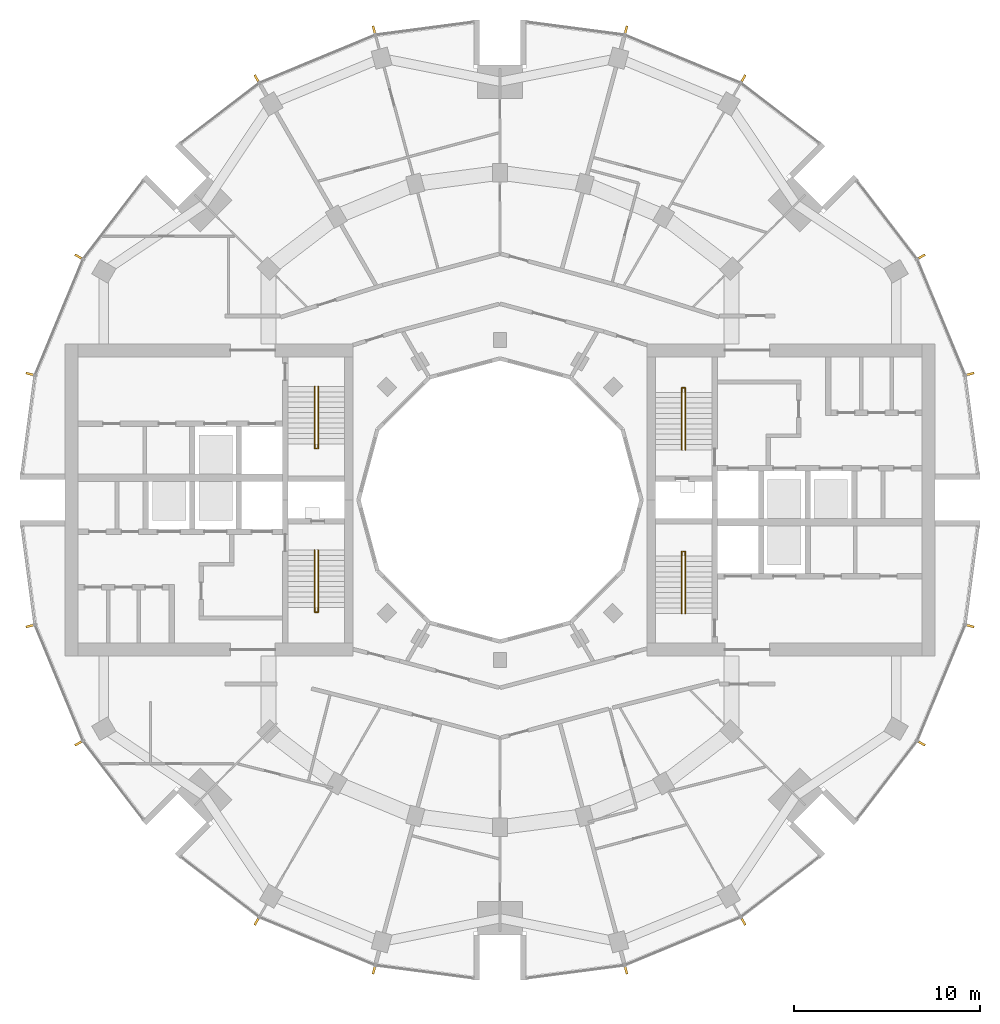
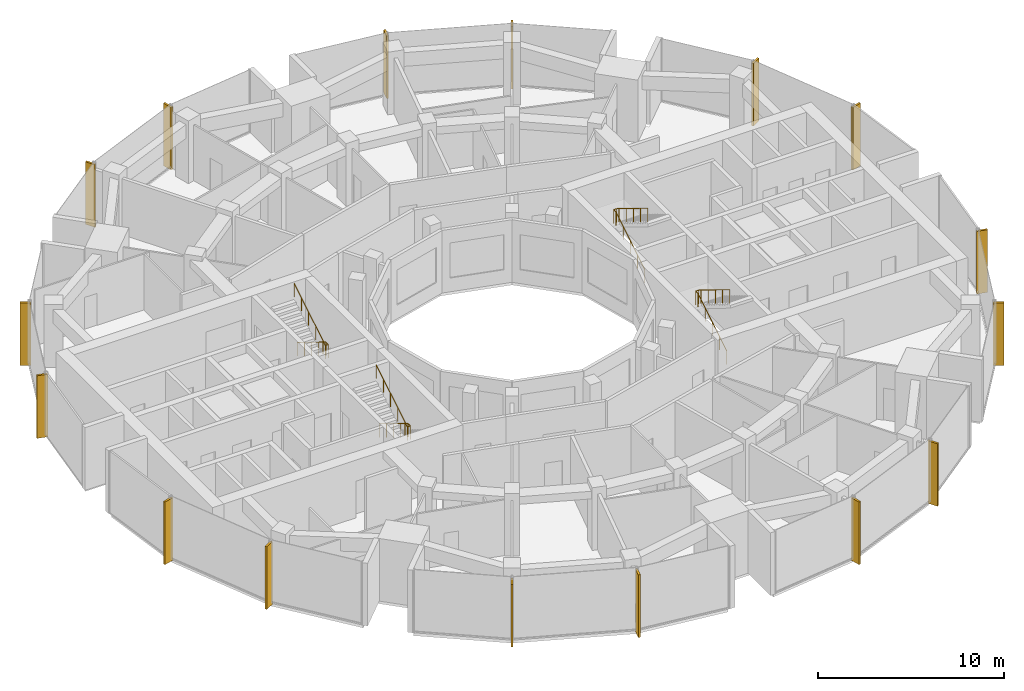
# One storey, part 14 of 15: 16 shading devices, 4 railings.
"""IFC4 building model written with IfcOpenShell, lengths in metres."""

from ifc_helpers import new_model, si_unit, direction, frame, origin, origin_2d, place, context, subcontext, project, spatial, rectangle, circle, extrude, material, material_profile, profile_set, type_object, element, save


model = new_model("IFC4")

# Units and contexts
model_context = context("Model", 3, precision=1e-05, world=origin(), true_north=direction((0.0, 1.0)))
body_context = subcontext(model_context, "Body", "Model", "MODEL_VIEW")
ifc_project = project(units=[si_unit("LENGTHUNIT", "METRE"), si_unit("AREAUNIT", "SQUARE_METRE"), si_unit("VOLUMEUNIT", "CUBIC_METRE"), si_unit("PLANEANGLEUNIT", "RADIAN"), si_unit("MASSUNIT", "GRAM", prefix="KILO")], contexts=[model_context])

# Site, building, storey
site_placement = place(None, origin())
site = spatial("IfcSite", under=ifc_project, at=site_placement, CompositionType="ELEMENT")
building_placement = place(site_placement, origin())
building = spatial("IfcBuilding", under=site, at=building_placement, Name="Torre Brocal", CompositionType="ELEMENT")
storey_placement = place(building_placement, frame((0.0, 0.0, 174.10009765625)))
storey = spatial("IfcBuildingStorey", under=building, at=storey_placement, Name="L40", CompositionType="ELEMENT", Elevation=174.10009765625)

# Shading devices
ifc_material_1 = material(Name="Aluminium, black anodised", Category="aluminium")
ifc_material_profile = material_profile(ifc_material_1, rectangle(XDim=0.1201171875, YDim=0.60009765625, at=origin_2d()), Name="FIN 120X600 4100 HIGH")
ifc_profile_set = profile_set([ifc_material_profile], Name="Aluminium, black anodised")
shading_device_type = type_object("IfcShadingDeviceType", Name="FIN 120X600 4100 HIGH", PredefinedType="USERDEFINED", material=ifc_profile_set)
for number, where, z_axis, x_axis, name in (
    (1, (105.208984375, 81.754638671875, -0.150146484375), (0.0, 0.0, 1.0), (-0.258819045103, 0.965925826289, 0.0), "FIN"),
    (2, (102.601806640625, 88.049072265625, -0.150146484375), (0.0, 0.0, 1.0), (-0.5, 0.866025403784, 0.0), "FIN"),
    (3, (93.049072265625, 97.601806640625, -0.150146484375), (0.0, 0.0, 1.0), (-0.866025403784, 0.5, 0.0), "FIN"),
    (4, (86.754638671875, 100.208984375, -0.150146484375), (0.0, 0.0, 1.0), (-0.965925826289, 0.258819045103, 0.0), "FIN"),
    (5, (73.245361328125, 100.208984375, -0.150146484375), (0.0, 0.0, 1.0), (-0.965925826289, -0.258819045103, 0.0), "FIN"),
    (6, (66.950927734375, 97.601806640625, -0.150146484375), (0.0, 0.0, 1.0), (-0.866025403784, -0.5, 0.0), "FIN"),
    (7, (57.398193359375, 88.049072265625, -0.150146484375), (0.0, 0.0, 1.0), (-0.5, -0.866025403784, 0.0), "FIN"),
    (8, (54.791015625, 81.754638671875, -0.150146484375), (0.0, 0.0, 1.0), (-0.258819045103, -0.965925826289, 0.0), "FIN"),
    (9, (54.791015625, 68.245361328125, -0.150146484375), (0.0, 0.0, 1.0), (0.258819045103, -0.965925826289, 0.0), "FIN"),
    (10, (57.398193359375, 61.950927734375, -0.150146484375), (0.0, 0.0, 1.0), (0.5, -0.866025403784, 0.0), "FIN"),
    (11, (66.950927734375, 52.398193359375, -0.150146484375), (0.0, 0.0, 1.0), (0.866025403784, -0.5, 0.0), "FIN"),
    (12, (73.245361328125, 49.791015625, -0.150146484375), (0.0, 0.0, 1.0), (0.965925826289, -0.258819045103, 0.0), "FIN"),
    (13, (86.754638671875, 49.791015625, -0.150146484375), (0.0, 0.0, 1.0), (0.965925826289, 0.258819045103, 0.0), "FIN"),
    (14, (93.049072265625, 52.398193359375, -0.150146484375), (0.0, 0.0, 1.0), (0.866025403784, 0.5, 0.0), "FIN"),
    (15, (102.601806640625, 61.950927734375, -0.150146484375), (0.0, 0.0, 1.0), (0.5, 0.866025403784, 0.0), "FIN"),
    (16, (105.208984375, 68.245361328125, -0.150146484375), (0.0, 0.0, 1.0), (0.258819045103, 0.965925826289, 0.0), "FIN"),
):
    element("IfcShadingDevice", number, at=place(storey_placement, frame(where, z_axis=z_axis, x_axis=x_axis)), inside=storey, type_object=shading_device_type, Name=name, ObjectType="FIN", PredefinedType="USERDEFINED", context=body_context, shape_type="SweptSolid", body=[
        extrude(rectangle(XDim=0.1201171875, YDim=0.60009765625, at=origin_2d()), origin(), (0.0, 0.0, 1.0), 4.10009765625),
    ])

# Railings
ifc_material_2 = material(Name="Stainless steel AISI 316", Category="steel")
railing_type = type_object("IfcRailingType", Name="STAIR HANDRAIL", PredefinedType="HANDRAIL", material=ifc_material_2)
railing_1_placement = place(storey_placement, frame((89.780029296875, 77.699951171875, 0.170654296875)))
element("IfcRailing", 17, at=railing_1_placement, inside=storey, type_object=railing_type, Name="HANDRAIL ST1", PredefinedType="HANDRAIL", context=body_context, shape_type="SweptSolid", body=[
    extrude(circle(Radius=0.02392578125, at=origin_2d()), frame((0.0, 0.0, 0.8759765625), z_axis=(0.0, 0.853666305674, 0.52082035152), x_axis=(-1.0, 0.0, 0.0)), (0.0, 0.0, 1.0), 3.608154296875),
    extrude(circle(Radius=0.02392578125, at=origin_2d()), frame((0.0, 3.080078125, 2.7548828125), z_axis=(0.0, 1.0, 0.0), x_axis=(-1.0, 0.0, 0.0)), (0.0, 0.0, 1.0), 0.25),
    extrude(circle(Radius=0.02392578125, at=origin_2d()), frame((0.0, 3.330078125, 2.7548828125), z_axis=(1.0, 0.0, 0.0), x_axis=(0.0, 1.0, 0.0)), (0.0, 0.0, 1.0), 0.18994140625),
    extrude(circle(Radius=0.02392578125, at=origin_2d()), frame((0.18994140625, 3.330078125, 2.7548828125), z_axis=(0.0, -0.825544483742, 0.564337049433), x_axis=(1.0, 0.0, 0.0)), (0.0, 0.0, 1.0), 0.302734375),
    extrude(circle(Radius=0.02392578125, at=origin_2d()), frame((0.18994140625, 3.080078125, 2.92578125), z_axis=(0.0, -0.853666305674, 0.52082035152), x_axis=(1.0, 0.0, 0.0)), (0.0, 0.0, 1.0), 3.608154296875),
    extrude(circle(Radius=0.02099609375, at=origin_2d()), origin(), (0.0, 0.0, 1.0), 0.851806640625),
    extrude(circle(Radius=0.02099609375, at=origin_2d()), frame((0.0, 0.77001953125, 0.4697265625)), (0.0, 0.0, 1.0), 0.851806640625),
    extrude(circle(Radius=0.02099609375, at=origin_2d()), frame((0.0, 1.5400390625, 0.939453125)), (0.0, 0.0, 1.0), 0.851806640625),
    extrude(circle(Radius=0.02099609375, at=origin_2d()), frame((0.0, 2.31005859375, 1.409423828125)), (0.0, 0.0, 1.0), 0.851806640625),
    extrude(circle(Radius=0.02099609375, at=origin_2d()), frame((0.0, 3.080078125, 1.879150390625)), (0.0, 0.0, 1.0), 0.851806640625),
    extrude(circle(Radius=0.02099609375, at=origin_2d()), frame((0.0, 3.330078125, 1.879150390625)), (0.0, 0.0, 1.0), 0.851806640625),
    extrude(circle(Radius=0.02099609375, at=origin_2d()), frame((0.18994140625, 3.330078125, 1.879150390625)), (0.0, 0.0, 1.0), 0.851806640625),
    extrude(circle(Radius=0.02099609375, at=origin_2d()), frame((0.18994140625, 3.080078125, 2.050048828125)), (0.0, 0.0, 1.0), 0.851806640625),
    extrude(circle(Radius=0.02099609375, at=origin_2d()), frame((0.18994140625, 2.31005859375, 2.519775390625)), (0.0, 0.0, 1.0), 0.851806640625),
    extrude(circle(Radius=0.02099609375, at=origin_2d()), frame((0.18994140625, 1.5400390625, 2.98974609375)), (0.0, 0.0, 1.0), 0.851806640625),
    extrude(circle(Radius=0.02099609375, at=origin_2d()), frame((0.18994140625, 0.77001953125, 3.45947265625)), (0.0, 0.0, 1.0), 0.851806640625),
    extrude(circle(Radius=0.02099609375, at=origin_2d()), frame((0.18994140625, 0.0, 3.92919921875)), (0.0, 0.0, 1.0), 0.851806640625),
])
railing_2_placement = place(storey_placement, frame((89.780029296875, 68.89990234375, 0.170654296875)))
element("IfcRailing", 18, at=railing_2_placement, inside=storey, type_object=railing_type, Name="HANDRAIL ST2", PredefinedType="HANDRAIL", context=body_context, shape_type="SweptSolid", body=[
    extrude(circle(Radius=0.02392578125, at=origin_2d()), frame((0.0, 0.0, 0.8759765625), z_axis=(0.0, 0.853666305674, 0.52082035152), x_axis=(-1.0, 0.0, 0.0)), (0.0, 0.0, 1.0), 3.608154296875),
    extrude(circle(Radius=0.02392578125, at=origin_2d()), frame((0.0, 3.080078125, 2.7548828125), z_axis=(0.0, 1.0, 0.0), x_axis=(-1.0, 0.0, 0.0)), (0.0, 0.0, 1.0), 0.25),
    extrude(circle(Radius=0.02392578125, at=origin_2d()), frame((0.0, 3.330078125, 2.7548828125), z_axis=(1.0, 0.0, 0.0), x_axis=(0.0, 1.0, 0.0)), (0.0, 0.0, 1.0), 0.18994140625),
    extrude(circle(Radius=0.02392578125, at=origin_2d()), frame((0.18994140625, 3.330078125, 2.7548828125), z_axis=(0.0, -0.825544483742, 0.564337049433), x_axis=(1.0, 0.0, 0.0)), (0.0, 0.0, 1.0), 0.302734375),
    extrude(circle(Radius=0.02392578125, at=origin_2d()), frame((0.18994140625, 3.080078125, 2.92578125), z_axis=(0.0, -0.853666305674, 0.52082035152), x_axis=(1.0, 0.0, 0.0)), (0.0, 0.0, 1.0), 3.608154296875),
    extrude(circle(Radius=0.02099609375, at=origin_2d()), origin(), (0.0, 0.0, 1.0), 0.851806640625),
    extrude(circle(Radius=0.02099609375, at=origin_2d()), frame((0.0, 0.77001953125, 0.4697265625)), (0.0, 0.0, 1.0), 0.851806640625),
    extrude(circle(Radius=0.02099609375, at=origin_2d()), frame((0.0, 1.5400390625, 0.939453125)), (0.0, 0.0, 1.0), 0.851806640625),
    extrude(circle(Radius=0.02099609375, at=origin_2d()), frame((0.0, 2.31005859375, 1.409423828125)), (0.0, 0.0, 1.0), 0.851806640625),
    extrude(circle(Radius=0.02099609375, at=origin_2d()), frame((0.0, 3.080078125, 1.879150390625)), (0.0, 0.0, 1.0), 0.851806640625),
    extrude(circle(Radius=0.02099609375, at=origin_2d()), frame((0.0, 3.330078125, 1.879150390625)), (0.0, 0.0, 1.0), 0.851806640625),
    extrude(circle(Radius=0.02099609375, at=origin_2d()), frame((0.18994140625, 3.330078125, 1.879150390625)), (0.0, 0.0, 1.0), 0.851806640625),
    extrude(circle(Radius=0.02099609375, at=origin_2d()), frame((0.18994140625, 3.080078125, 2.050048828125)), (0.0, 0.0, 1.0), 0.851806640625),
    extrude(circle(Radius=0.02099609375, at=origin_2d()), frame((0.18994140625, 2.31005859375, 2.519775390625)), (0.0, 0.0, 1.0), 0.851806640625),
    extrude(circle(Radius=0.02099609375, at=origin_2d()), frame((0.18994140625, 1.5400390625, 2.98974609375)), (0.0, 0.0, 1.0), 0.851806640625),
    extrude(circle(Radius=0.02099609375, at=origin_2d()), frame((0.18994140625, 0.77001953125, 3.45947265625)), (0.0, 0.0, 1.0), 0.851806640625),
    extrude(circle(Radius=0.02099609375, at=origin_2d()), frame((0.18994140625, 0.0, 3.92919921875)), (0.0, 0.0, 1.0), 0.851806640625),
])
railing_3_placement = place(storey_placement, frame((70.219970703125, 72.300048828125, 0.170654296875)))
element("IfcRailing", 19, at=railing_3_placement, inside=storey, type_object=railing_type, Name="HANDRAIL ST3", PredefinedType="HANDRAIL", context=body_context, shape_type="SweptSolid", body=[
    extrude(circle(Radius=0.02392578125, at=origin_2d()), frame((0.0, 0.0, 0.8759765625), z_axis=(0.0, -0.853666305674, 0.52082035152), x_axis=(1.0, 0.0, 0.0)), (0.0, 0.0, 1.0), 3.608154296875),
    extrude(circle(Radius=0.02392578125, at=origin_2d()), frame((0.0, -3.080078125, 2.7548828125), z_axis=(0.0, -1.0, 0.0), x_axis=(1.0, 0.0, 0.0)), (0.0, 0.0, 1.0), 0.25),
    extrude(circle(Radius=0.02392578125, at=origin_2d()), frame((0.0, -3.330078125, 2.7548828125), z_axis=(-1.0, 0.0, 0.0), x_axis=(0.0, -1.0, 0.0)), (0.0, 0.0, 1.0), 0.18994140625),
    extrude(circle(Radius=0.02392578125, at=origin_2d()), frame((-0.18994140625, -3.330078125, 2.7548828125), z_axis=(0.0, 0.825544483742, 0.564337049433), x_axis=(-1.0, 0.0, 0.0)), (0.0, 0.0, 1.0), 0.302734375),
    extrude(circle(Radius=0.02392578125, at=origin_2d()), frame((-0.18994140625, -3.080078125, 2.92578125), z_axis=(0.0, 0.853666305674, 0.52082035152), x_axis=(-1.0, 0.0, 0.0)), (0.0, 0.0, 1.0), 3.608154296875),
    extrude(circle(Radius=0.02099609375, at=origin_2d()), origin(), (0.0, 0.0, 1.0), 0.851806640625),
    extrude(circle(Radius=0.02099609375, at=origin_2d()), frame((0.0, -0.77001953125, 0.4697265625)), (0.0, 0.0, 1.0), 0.851806640625),
    extrude(circle(Radius=0.02099609375, at=origin_2d()), frame((0.0, -1.5400390625, 0.939453125)), (0.0, 0.0, 1.0), 0.851806640625),
    extrude(circle(Radius=0.02099609375, at=origin_2d()), frame((0.0, -2.31005859375, 1.409423828125)), (0.0, 0.0, 1.0), 0.851806640625),
    extrude(circle(Radius=0.02099609375, at=origin_2d()), frame((0.0, -3.080078125, 1.879150390625)), (0.0, 0.0, 1.0), 0.851806640625),
    extrude(circle(Radius=0.02099609375, at=origin_2d()), frame((0.0, -3.330078125, 1.879150390625)), (0.0, 0.0, 1.0), 0.851806640625),
    extrude(circle(Radius=0.02099609375, at=origin_2d()), frame((-0.18994140625, -3.330078125, 1.879150390625)), (0.0, 0.0, 1.0), 0.851806640625),
    extrude(circle(Radius=0.02099609375, at=origin_2d()), frame((-0.18994140625, -3.080078125, 2.050048828125)), (0.0, 0.0, 1.0), 0.851806640625),
    extrude(circle(Radius=0.02099609375, at=origin_2d()), frame((-0.18994140625, -2.31005859375, 2.519775390625)), (0.0, 0.0, 1.0), 0.851806640625),
    extrude(circle(Radius=0.02099609375, at=origin_2d()), frame((-0.18994140625, -1.5400390625, 2.98974609375)), (0.0, 0.0, 1.0), 0.851806640625),
    extrude(circle(Radius=0.02099609375, at=origin_2d()), frame((-0.18994140625, -0.77001953125, 3.45947265625)), (0.0, 0.0, 1.0), 0.851806640625),
    extrude(circle(Radius=0.02099609375, at=origin_2d()), frame((-0.18994140625, 0.0, 3.92919921875)), (0.0, 0.0, 1.0), 0.851806640625),
])
railing_4_placement = place(storey_placement, frame((70.219970703125, 81.10009765625, 0.170654296875)))
element("IfcRailing", 20, at=railing_4_placement, inside=storey, type_object=railing_type, Name="HANDRAIL ST4", PredefinedType="HANDRAIL", context=body_context, shape_type="SweptSolid", body=[
    extrude(circle(Radius=0.02392578125, at=origin_2d()), frame((0.0, 0.0, 0.8759765625), z_axis=(0.0, -0.853666305674, 0.52082035152), x_axis=(1.0, 0.0, 0.0)), (0.0, 0.0, 1.0), 3.608154296875),
    extrude(circle(Radius=0.02392578125, at=origin_2d()), frame((0.0, -3.080078125, 2.7548828125), z_axis=(0.0, -1.0, 0.0), x_axis=(1.0, 0.0, 0.0)), (0.0, 0.0, 1.0), 0.25),
    extrude(circle(Radius=0.02392578125, at=origin_2d()), frame((0.0, -3.330078125, 2.7548828125), z_axis=(-1.0, 0.0, 0.0), x_axis=(0.0, -1.0, 0.0)), (0.0, 0.0, 1.0), 0.18994140625),
    extrude(circle(Radius=0.02392578125, at=origin_2d()), frame((-0.18994140625, -3.330078125, 2.7548828125), z_axis=(0.0, 0.825544483742, 0.564337049433), x_axis=(-1.0, 0.0, 0.0)), (0.0, 0.0, 1.0), 0.302734375),
    extrude(circle(Radius=0.02392578125, at=origin_2d()), frame((-0.18994140625, -3.080078125, 2.92578125), z_axis=(0.0, 0.853666305674, 0.52082035152), x_axis=(-1.0, 0.0, 0.0)), (0.0, 0.0, 1.0), 3.608154296875),
    extrude(circle(Radius=0.02099609375, at=origin_2d()), origin(), (0.0, 0.0, 1.0), 0.851806640625),
    extrude(circle(Radius=0.02099609375, at=origin_2d()), frame((0.0, -0.77001953125, 0.4697265625)), (0.0, 0.0, 1.0), 0.851806640625),
    extrude(circle(Radius=0.02099609375, at=origin_2d()), frame((0.0, -1.5400390625, 0.939453125)), (0.0, 0.0, 1.0), 0.851806640625),
    extrude(circle(Radius=0.02099609375, at=origin_2d()), frame((0.0, -2.31005859375, 1.409423828125)), (0.0, 0.0, 1.0), 0.851806640625),
    extrude(circle(Radius=0.02099609375, at=origin_2d()), frame((0.0, -3.080078125, 1.879150390625)), (0.0, 0.0, 1.0), 0.851806640625),
    extrude(circle(Radius=0.02099609375, at=origin_2d()), frame((0.0, -3.330078125, 1.879150390625)), (0.0, 0.0, 1.0), 0.851806640625),
    extrude(circle(Radius=0.02099609375, at=origin_2d()), frame((-0.18994140625, -3.330078125, 1.879150390625)), (0.0, 0.0, 1.0), 0.851806640625),
    extrude(circle(Radius=0.02099609375, at=origin_2d()), frame((-0.18994140625, -3.080078125, 2.050048828125)), (0.0, 0.0, 1.0), 0.851806640625),
    extrude(circle(Radius=0.02099609375, at=origin_2d()), frame((-0.18994140625, -2.31005859375, 2.519775390625)), (0.0, 0.0, 1.0), 0.851806640625),
    extrude(circle(Radius=0.02099609375, at=origin_2d()), frame((-0.18994140625, -1.5400390625, 2.98974609375)), (0.0, 0.0, 1.0), 0.851806640625),
    extrude(circle(Radius=0.02099609375, at=origin_2d()), frame((-0.18994140625, -0.77001953125, 3.45947265625)), (0.0, 0.0, 1.0), 0.851806640625),
    extrude(circle(Radius=0.02099609375, at=origin_2d()), frame((-0.18994140625, 0.0, 3.92919921875)), (0.0, 0.0, 1.0), 0.851806640625),
])

save(model, "model.ifc")
